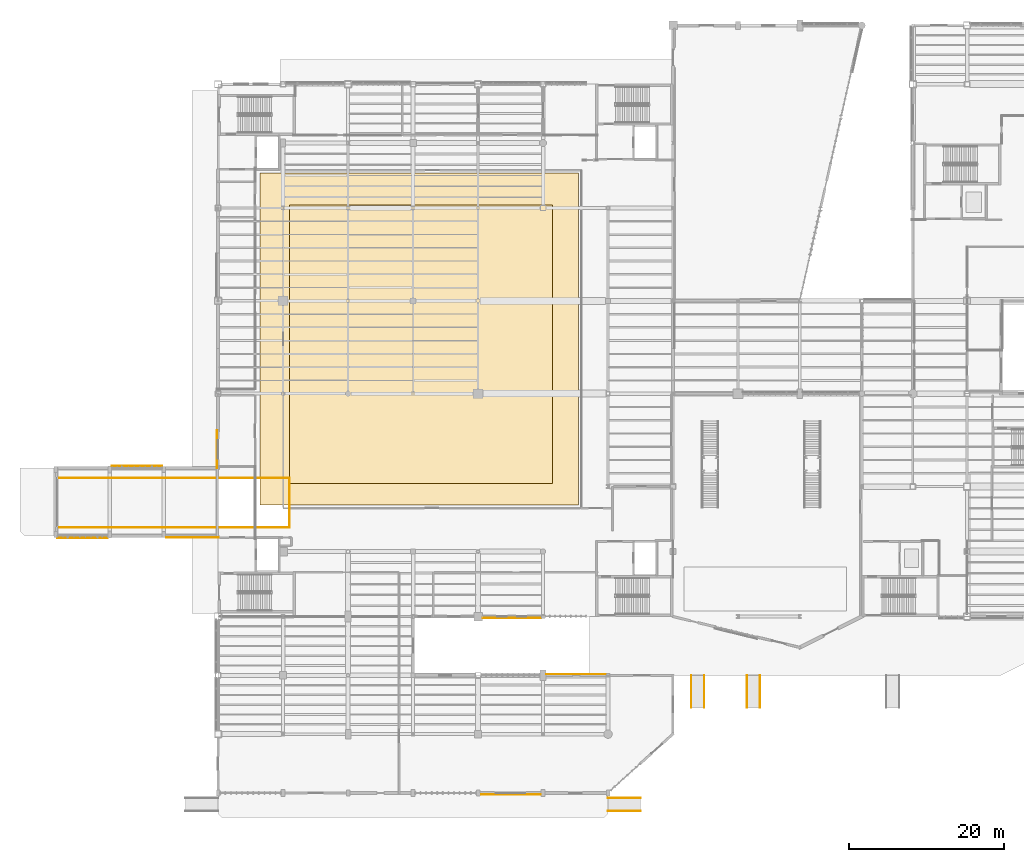
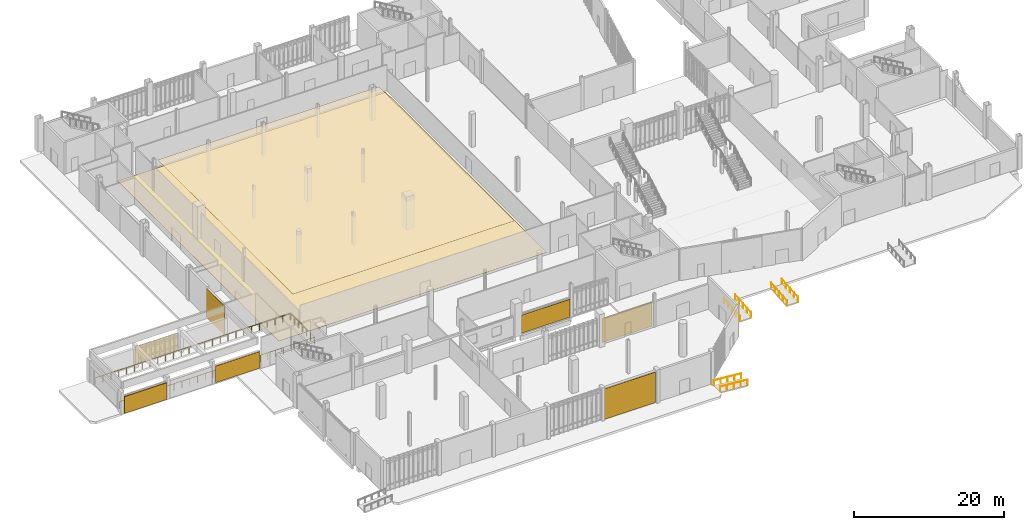
# One storey, part 100 of 111: 7 coverings, 7 railings, 2 shading devices.
"""IFC4 building model written with IfcOpenShell, lengths in metres."""

import ifcopenshell
import ifcopenshell.guid

model = None  # the IFC model being written
_history = None  # IfcOwnerHistory: only IFC2X3 demands one
_inside = {}  # id of a spatial element -> (the spatial element, [elements in it])
_under = {}  # id of a project, library or spatial element -> (it, [spatial elements below it])
_declared = {}  # id of a project -> (the project, [libraries it declares])
_typed = {}  # id of a type object -> (the type object, [elements of that type])
_made_of = {}  # id of a material, layer set ... -> (it, [elements and type objects made of it])


def new_model(schema):
    """Start an empty IFC model of exactly this schema.

    Asked for "IFC4X3", IfcOpenShell would pick the latest addendum, in which some entities
    have other attributes; the version numbers below select the first issue.
    IFC2X3 requires an IfcOwnerHistory on every rooted entity: one is made here for all.
    """
    global model, _history
    if schema == "IFC4X3":
        model = ifcopenshell.file(schema_version=(4, 3, 0, 0))
    else:
        model = ifcopenshell.file(schema=schema)
    _inside.clear()
    _under.clear()
    _declared.clear()
    _typed.clear()
    _made_of.clear()
    _history = None
    if model.schema == "IFC2X3":
        org = make("IfcOrganization", Name="unknown")
        user = make(
            "IfcPersonAndOrganization",
            ThePerson=make("IfcPerson", FamilyName="unknown"),
            TheOrganization=org,
        )
        app = make(
            "IfcApplication",
            ApplicationDeveloper=org,
            Version="unknown",
            ApplicationFullName="unknown",
            ApplicationIdentifier="unknown",
        )
        _history = make(
            "IfcOwnerHistory",
            OwningUser=user,
            OwningApplication=app,
            ChangeAction="ADDED",
            CreationDate=0,
        )
    return model


def make(cls, **values):
    """One entity of the class cls with the attributes given. An attribute that is None is left unset."""
    return model.create_entity(
        cls, **{name: value for name, value in values.items() if value is not None}
    )


def rooted(cls, **values):
    """An entity with a GlobalId (a new one), such as an element, a storey or a relation."""
    return make(cls, GlobalId=ifcopenshell.guid.new(), OwnerHistory=_history, **values)


def si_unit(unit_type, name, prefix=None):
    """IfcSIUnit, for example si_unit("LENGTHUNIT", "METRE", prefix="MILLI")."""
    return make("IfcSIUnit", UnitType=unit_type, Prefix=prefix, Name=name)


def assignment(units):
    """IfcUnitAssignment: the units of a project."""
    return None if units is None else make("IfcUnitAssignment", Units=units)


def point(xyz):
    """IfcCartesianPoint."""
    return None if xyz is None else make("IfcCartesianPoint", Coordinates=xyz)


def direction(xyz):
    """IfcDirection."""
    return None if xyz is None else make("IfcDirection", DirectionRatios=xyz)


def frame(location, z_axis=None, x_axis=None):
    """IfcAxis2Placement3D, a coordinate frame: its origin and axes. An axis left out is left unset."""
    return make(
        "IfcAxis2Placement3D",
        Location=point(location),
        Axis=direction(z_axis),
        RefDirection=direction(x_axis),
    )


def frame_2d(location, x_axis=None):
    """IfcAxis2Placement2D, a coordinate frame in the plane: its origin and x axis."""
    return make(
        "IfcAxis2Placement2D", Location=point(location), RefDirection=direction(x_axis)
    )


def origin():
    """The frame at (0, 0, 0) with its axes left unset."""
    return frame((0.0, 0.0, 0.0))


def origin_2d():
    """The frame at (0, 0) in the plane with its x axis left unset."""
    return frame_2d((0.0, 0.0))


def place(relative_to, where):
    """IfcLocalPlacement: puts the frame where relative to a parent placement (None: the world)."""
    return make(
        "IfcLocalPlacement", PlacementRelTo=relative_to, RelativePlacement=where
    )


def context(
    kind, dimensions, precision=None, world=None, true_north=None, identifier=None
):
    """IfcGeometricRepresentationContext, for example the 3D "Model" context."""
    return make(
        "IfcGeometricRepresentationContext",
        ContextIdentifier=identifier,
        ContextType=kind,
        CoordinateSpaceDimension=dimensions,
        Precision=precision,
        WorldCoordinateSystem=world,
        TrueNorth=true_north,
    )


def subcontext(parent, identifier, kind, view, scale=None):
    """IfcGeometricRepresentationSubContext, for example "Body" below "Model"."""
    return make(
        "IfcGeometricRepresentationSubContext",
        ContextIdentifier=identifier,
        ContextType=kind,
        ParentContext=parent,
        TargetScale=scale,
        TargetView=view,
    )


def project(units=None, contexts=None):
    """IfcProject with its units and contexts."""
    return rooted(
        "IfcProject",
        Name="project",
        RepresentationContexts=contexts,
        UnitsInContext=assignment(units),
    )


def spatial(cls, under=None, at=None, **own):
    """A site, building, storey or space (cls), placed at a placement, below another one or the project."""
    s = rooted(cls, ObjectPlacement=at, **own)
    if under is not None:
        _under.setdefault(under.id(), (under, []))[1].append(s)
    return s


def polyline(points):
    """IfcPolyline through the points."""
    return make("IfcPolyline", Points=[point(p) for p in points])


def profile(cls, at=None, kind="AREA", **sizes):
    """A parametric profile (cls). Its sizes go by their IFC names, for example OverallWidth=200.0."""
    return make(cls, ProfileType=kind, Position=at, **sizes)


def rectangle(**sizes):
    """IfcRectangleProfileDef."""
    return profile("IfcRectangleProfileDef", **sizes)


def circle(**sizes):
    """IfcCircleProfileDef."""
    return profile("IfcCircleProfileDef", **sizes)


def outline(outer, holes=None, kind="AREA"):
    """IfcArbitraryClosedProfileDef: a profile drawn as a closed curve; with holes, ...WithVoids."""
    if holes is None:
        return make("IfcArbitraryClosedProfileDef", ProfileType=kind, OuterCurve=outer)
    return make(
        "IfcArbitraryProfileDefWithVoids",
        ProfileType=kind,
        OuterCurve=outer,
        InnerCurves=holes,
    )


def extrude(swept, where, along, depth):
    """IfcExtrudedAreaSolid: the profile swept, set in the frame where, extruded along a direction by depth."""
    return make(
        "IfcExtrudedAreaSolid",
        SweptArea=swept,
        Position=where,
        ExtrudedDirection=direction(along),
        Depth=depth,
    )


def shape(context_of_items, identifier, shape_type, items):
    """IfcShapeRepresentation: the items that make up one representation, for example the "Body"."""
    return make(
        "IfcShapeRepresentation",
        ContextOfItems=context_of_items,
        RepresentationIdentifier=identifier,
        RepresentationType=shape_type,
        Items=items,
    )


def material(Name=None, Category=None):
    """IfcMaterial."""
    return make("IfcMaterial", Name=Name, Category=Category)


def layer(
    of_material, thickness, ventilated=None, Name=None, Category=None, Priority=None
):
    """IfcMaterialLayer: one layer of a wall or slab, of a material (None: an air gap)."""
    return make(
        "IfcMaterialLayer",
        Material=of_material,
        LayerThickness=thickness,
        IsVentilated=ventilated,
        Name=Name,
        Category=Category,
        Priority=Priority,
    )


def layer_set(layers, Name=None):
    """IfcMaterialLayerSet."""
    return make("IfcMaterialLayerSet", MaterialLayers=layers, LayerSetName=Name)


def made_of(thing, what):
    """Note that an element or type object is made of a material, layer set ...; save() writes the relation."""
    if what is not None:
        _made_of.setdefault(what.id(), (what, []))[1].append(thing)
    return thing


def type_object(cls, material=None, **own):
    """A type object (cls), such as IfcWallType, which elements share."""
    return made_of(rooted(cls, **own), material)


def element(
    cls,
    number,
    at=None,
    inside=None,
    cuts=None,
    type_object=None,
    material=None,
    context=None,
    identifier="Body",
    shape_type=None,
    held_by="IfcProductDefinitionShape",
    body=None,
    shapes=None,
    **own,
):
    """One element of the class cls, such as IfcWall. Its Tag is "e" and its number.

    at: its placement. inside: the storey or other place that contains it. cuts: it is an
    opening in that element (IfcRelVoidsElement). A single representation is given by context,
    identifier, shape_type and body (its items); several are given by shapes. held_by: the class
    of the entity that holds the representations. save() writes the other relations.
    """
    e = rooted(cls, Tag="e%d" % number, ObjectPlacement=at, **own)
    if body is not None:
        shapes = [shape(context, identifier, shape_type, body)]
    if shapes is not None:
        e.Representation = make(held_by, Representations=shapes)
    if inside is not None:
        _inside.setdefault(inside.id(), (inside, []))[1].append(e)
    if cuts is not None:
        rooted(
            "IfcRelVoidsElement", RelatingBuildingElement=cuts, RelatedOpeningElement=e
        )
    if type_object is not None:
        _typed.setdefault(type_object.id(), (type_object, []))[1].append(e)
    return made_of(e, material)


def aggregate(whole, parts):
    """IfcRelAggregates: a whole, such as a stair, and the parts it consists of."""
    return rooted("IfcRelAggregates", RelatingObject=whole, RelatedObjects=parts)


def save(model, path):
    """Write the relations noted so far, then the file.

    IfcRelAggregates (storeys below a building ...), IfcRelContainedInSpatialStructure (elements
    in a storey), IfcRelDefinesByType, IfcRelAssociatesMaterial and IfcRelDeclares: one each for
    every whole, place, type object, material and project.
    """
    for whole, parts in _under.values():
        aggregate(whole, parts)
    for where, things in _inside.values():
        rooted(
            "IfcRelContainedInSpatialStructure",
            RelatedElements=things,
            RelatingStructure=where,
        )
    for kind, things in _typed.values():
        rooted("IfcRelDefinesByType", RelatedObjects=things, RelatingType=kind)
    for what, things in _made_of.values():
        rooted("IfcRelAssociatesMaterial", RelatedObjects=things, RelatingMaterial=what)
    for by, libraries in _declared.values():
        rooted("IfcRelDeclares", RelatingContext=by, RelatedDefinitions=libraries)
    model.write(path)


model = new_model("IFC4")

# Units and contexts
model_context = context("Model", 3, precision=1e-05, world=origin(), true_north=direction((0.0, 1.0)))
body_context = subcontext(model_context, "Body", "Model", "MODEL_VIEW")
ifc_project = project(units=[si_unit("LENGTHUNIT", "METRE"), si_unit("AREAUNIT", "SQUARE_METRE"), si_unit("VOLUMEUNIT", "CUBIC_METRE"), si_unit("PLANEANGLEUNIT", "RADIAN"), si_unit("MASSUNIT", "GRAM", prefix="KILO")], contexts=[model_context])

# Site, building, storey
site_placement = place(None, origin())
site = spatial("IfcSite", under=ifc_project, at=site_placement, CompositionType="ELEMENT")
building_placement = place(site_placement, origin())
building = spatial("IfcBuilding", under=site, at=building_placement, Name="Larkvane Passage Sports Hall", CompositionType="ELEMENT")
storey_placement = place(building_placement, origin())
storey = spatial("IfcBuildingStorey", under=building, at=storey_placement, Name="L00", CompositionType="ELEMENT", Elevation=0.0)

# Coverings
ifc_material_1 = material(Name="Perforated mineral-wool acoustic baffle")
ifc_layer_1 = layer(ifc_material_1, 0.030029296875)
ifc_layer_set_1 = layer_set([ifc_layer_1], Name="Perforated mineral-wool acoustic baffle")
covering_type_1 = type_object("IfcCoveringType", Name="COV-CEIL-ACOUST", PredefinedType="CEILING", material=ifc_layer_set_1)
covering_1_placement = place(storey_placement, frame((0.0, 0.0, 4.60009765625)))
element("IfcCovering", 1, at=covering_1_placement, inside=storey, type_object=covering_type_1, Name="Acoustic ceiling baffle COV-CEIL-L00-BAD", PredefinedType="CEILING", context=body_context, shape_type="SweptSolid", body=[
    extrude(outline(polyline([(44.0, 40.0), (78.0, 40.0), (78.0, 76.0), (44.0, 76.0), (44.0, 40.0)])), origin(), (0.0, 0.0, 1.0), 0.02978515625),
])
ifc_material_2 = material(Name="Sprung maple sports floor")
ifc_layer_2 = layer(ifc_material_2, 0.0400390625)
ifc_layer_set_2 = layer_set([ifc_layer_2], Name="Sprung maple sports floor")
covering_type_2 = type_object("IfcCoveringType", Name="COV-FLR-MAPLE", PredefinedType="FLOORING", material=ifc_layer_set_2)
covering_2_placement = place(storey_placement, origin())
element("IfcCovering", 2, at=covering_2_placement, inside=storey, type_object=covering_type_2, Name="Eight-court badminton maple floor", PredefinedType="FLOORING", context=body_context, shape_type="SweptSolid", body=[
    extrude(outline(polyline([(40.199951171875, 37.199951171875), (81.39990234375, 37.199951171875), (81.39990234375, 80.10009765625), (40.199951171875, 80.10009765625), (40.199951171875, 37.199951171875)])), origin(), (0.0, 0.0, 1.0), 0.0400390625),
])
ifc_material_3 = material(Name="Perforated anodised aluminium 5052-H32", Category="aluminium")
ifc_layer_3 = layer(ifc_material_3, 0.050048828125)
ifc_layer_set_3 = layer_set([ifc_layer_3], Name="Perforated anodised aluminium 5052-H32")
covering_type_3 = type_object("IfcCoveringType", Name="COV-MESH-VEIL", PredefinedType="CLADDING", material=ifc_layer_set_3)
covering_3_placement = place(storey_placement, frame((72.58740234375, -0.217529296875, 0.0751953125), z_axis=(0.0, 0.0, 1.0), x_axis=(-1.0, 0.0, 0.0)))
element("IfcCovering", 3, at=covering_3_placement, inside=storey, type_object=covering_type_3, Name="Perforated cladding cassette L00-004", PredefinedType="CLADDING", context=body_context, shape_type="SweptSolid", body=[
    extrude(rectangle(XDim=7.8330078125, YDim=0.050048828125, at=origin_2d()), origin(), (0.0, 0.0, 1.0), 4.949951171875),
])
covering_4_placement = place(storey_placement, frame((31.48486328125, 33.02001953125, 0.074951171875), z_axis=(0.0, 0.0, 1.0), x_axis=(-1.0, 0.0, 0.0)))
element("IfcCovering", 4, at=covering_4_placement, inside=storey, type_object=covering_type_3, Name="Perforated cladding cassette L00-008", PredefinedType="CLADDING", context=body_context, shape_type="SweptSolid", body=[
    extrude(rectangle(XDim=6.827880859375, YDim=0.050048828125, at=origin_2d()), origin(), (0.0, 0.0, 1.0), 2.68798828125),
])
covering_5_placement = place(storey_placement, frame((34.655029296875, 44.39990234375, 0.074951171875), z_axis=(0.0, 0.0, 1.0), x_axis=(0.0, 1.0, 0.0)))
element("IfcCovering", 5, at=covering_5_placement, inside=storey, type_object=covering_type_3, Name="Perforated cladding cassette L00-012", PredefinedType="CLADDING", context=body_context, shape_type="SweptSolid", body=[
    extrude(rectangle(XDim=4.930419921875, YDim=0.050048828125, at=origin_2d()), origin(), (0.0, 0.0, 1.0), 4.66796875),
])
covering_6_placement = place(storey_placement, frame((72.773681640625, 22.6201171875, 0.074951171875), z_axis=(0.0, 0.0, 1.0), x_axis=(-1.0, 0.0, 0.0)))
element("IfcCovering", 6, at=covering_6_placement, inside=storey, type_object=covering_type_3, Name="Perforated cladding cassette L00-056", PredefinedType="CLADDING", context=body_context, shape_type="SweptSolid", body=[
    extrude(rectangle(XDim=7.555419921875, YDim=0.050048828125, at=origin_2d()), origin(), (0.0, 0.0, 1.0), 2.9130859375),
])
covering_7_placement = place(storey_placement, frame((81.10009765625, 15.344970703125, 0.0751953125), z_axis=(0.0, 0.0, 1.0), x_axis=(1.0, 0.0, 0.0)))
element("IfcCovering", 7, at=covering_7_placement, inside=storey, type_object=covering_type_3, Name="Perforated cladding cassette L00-060", PredefinedType="CLADDING", context=body_context, shape_type="SweptSolid", body=[
    extrude(rectangle(XDim=7.7080078125, YDim=0.050048828125, at=origin_2d()), origin(), (0.0, 0.0, 1.0), 3.927978515625),
])

# Railings
ifc_material_4 = material(Name="Steel S355JR", Category="steel")
railing_type_1 = type_object("IfcRailingType", Name="RL-GUARD-1120", PredefinedType="GUARDRAIL", material=ifc_material_4)
railing_placement = place(storey_placement, frame((14.050048828125, 34.300048828125, 0.0)))
element("IfcRailing", 8, at=railing_placement, inside=storey, type_object=railing_type_1, Name="Vehicle ramp floor opening perimeter guardrail L00", PredefinedType="GUARDRAIL", context=body_context, shape_type="SweptSolid", body=[
    extrude(circle(Radius=0.02392578125, at=origin_2d()), frame((0.001953125, 0.0, 1.09619140625), z_axis=(1.0, 0.0, 0.0), x_axis=(0.0, 1.0, 0.0)), (0.0, 0.0, 1.0), 29.99609375),
    extrude(circle(Radius=0.02392578125, at=origin_2d()), frame((30.0, 0.001953125, 1.09619140625), z_axis=(0.0, 1.0, 0.0), x_axis=(-1.0, 0.0, 0.0)), (0.0, 0.0, 1.0), 6.39599609375),
    extrude(circle(Radius=0.02392578125, at=origin_2d()), frame((29.998046875, 6.39990234375, 1.09619140625), z_axis=(-1.0, 0.0, 0.0), x_axis=(0.0, -1.0, 0.0)), (0.0, 0.0, 1.0), 29.99609375),
    extrude(circle(Radius=0.02099609375, at=origin_2d()), origin(), (0.0, 0.0, 1.0), 1.072021484375),
    extrude(circle(Radius=0.02099609375, at=origin_2d()), frame((1.199951171875, 0.0, 0.0)), (0.0, 0.0, 1.0), 1.072021484375),
    extrude(circle(Radius=0.02099609375, at=origin_2d()), frame((2.39990234375, 0.0, 0.0)), (0.0, 0.0, 1.0), 1.072021484375),
    extrude(circle(Radius=0.02099609375, at=origin_2d()), frame((3.60009765625, 0.0, 0.0)), (0.0, 0.0, 1.0), 1.072021484375),
    extrude(circle(Radius=0.02099609375, at=origin_2d()), frame((4.800048828125, 0.0, 0.0)), (0.0, 0.0, 1.0), 1.072021484375),
    extrude(circle(Radius=0.02099609375, at=origin_2d()), frame((6.0, 0.0, 0.0)), (0.0, 0.0, 1.0), 1.072021484375),
    extrude(circle(Radius=0.02099609375, at=origin_2d()), frame((7.199951171875, 0.0, 0.0)), (0.0, 0.0, 1.0), 1.072021484375),
    extrude(circle(Radius=0.02099609375, at=origin_2d()), frame((8.39990234375, 0.0, 0.0)), (0.0, 0.0, 1.0), 1.072021484375),
    extrude(circle(Radius=0.02099609375, at=origin_2d()), frame((9.60009765625, 0.0, 0.0)), (0.0, 0.0, 1.0), 1.072021484375),
    extrude(circle(Radius=0.02099609375, at=origin_2d()), frame((10.800048828125, 0.0, 0.0)), (0.0, 0.0, 1.0), 1.072021484375),
    extrude(circle(Radius=0.02099609375, at=origin_2d()), frame((12.0, 0.0, 0.0)), (0.0, 0.0, 1.0), 1.072021484375),
    extrude(circle(Radius=0.02099609375, at=origin_2d()), frame((13.199951171875, 0.0, 0.0)), (0.0, 0.0, 1.0), 1.072021484375),
    extrude(circle(Radius=0.02099609375, at=origin_2d()), frame((14.39990234375, 0.0, 0.0)), (0.0, 0.0, 1.0), 1.072021484375),
    extrude(circle(Radius=0.02099609375, at=origin_2d()), frame((15.60009765625, 0.0, 0.0)), (0.0, 0.0, 1.0), 1.072021484375),
    extrude(circle(Radius=0.02099609375, at=origin_2d()), frame((16.800048828125, 0.0, 0.0)), (0.0, 0.0, 1.0), 1.072021484375),
    extrude(circle(Radius=0.02099609375, at=origin_2d()), frame((18.0, 0.0, 0.0)), (0.0, 0.0, 1.0), 1.072021484375),
    extrude(circle(Radius=0.02099609375, at=origin_2d()), frame((19.199951171875, 0.0, 0.0)), (0.0, 0.0, 1.0), 1.072021484375),
    extrude(circle(Radius=0.02099609375, at=origin_2d()), frame((20.39990234375, 0.0, 0.0)), (0.0, 0.0, 1.0), 1.072021484375),
    extrude(circle(Radius=0.02099609375, at=origin_2d()), frame((21.60009765625, 0.0, 0.0)), (0.0, 0.0, 1.0), 1.072021484375),
    extrude(circle(Radius=0.02099609375, at=origin_2d()), frame((22.800048828125, 0.0, 0.0)), (0.0, 0.0, 1.0), 1.072021484375),
    extrude(circle(Radius=0.02099609375, at=origin_2d()), frame((24.0, 0.0, 0.0)), (0.0, 0.0, 1.0), 1.072021484375),
    extrude(circle(Radius=0.02099609375, at=origin_2d()), frame((25.199951171875, 0.0, 0.0)), (0.0, 0.0, 1.0), 1.072021484375),
    extrude(circle(Radius=0.02099609375, at=origin_2d()), frame((26.39990234375, 0.0, 0.0)), (0.0, 0.0, 1.0), 1.072021484375),
    extrude(circle(Radius=0.02099609375, at=origin_2d()), frame((27.60009765625, 0.0, 0.0)), (0.0, 0.0, 1.0), 1.072021484375),
    extrude(circle(Radius=0.02099609375, at=origin_2d()), frame((28.800048828125, 0.0, 0.0)), (0.0, 0.0, 1.0), 1.072021484375),
    extrude(circle(Radius=0.02099609375, at=origin_2d()), frame((30.0, 0.0, 0.0)), (0.0, 0.0, 1.0), 1.072021484375),
    extrude(circle(Radius=0.02099609375, at=origin_2d()), frame((30.0, 1.066650390625, 0.0)), (0.0, 0.0, 1.0), 1.072021484375),
    extrude(circle(Radius=0.02099609375, at=origin_2d()), frame((30.0, 2.13330078125, 0.0)), (0.0, 0.0, 1.0), 1.072021484375),
    extrude(circle(Radius=0.02099609375, at=origin_2d()), frame((30.0, 3.199951171875, 0.0)), (0.0, 0.0, 1.0), 1.072021484375),
    extrude(circle(Radius=0.02099609375, at=origin_2d()), frame((30.0, 4.2666015625, 0.0)), (0.0, 0.0, 1.0), 1.072021484375),
    extrude(circle(Radius=0.02099609375, at=origin_2d()), frame((30.0, 5.333251953125, 0.0)), (0.0, 0.0, 1.0), 1.072021484375),
    extrude(circle(Radius=0.02099609375, at=origin_2d()), frame((30.0, 6.39990234375, 0.0)), (0.0, 0.0, 1.0), 1.072021484375),
    extrude(circle(Radius=0.02099609375, at=origin_2d()), frame((28.800048828125, 6.39990234375, 0.0)), (0.0, 0.0, 1.0), 1.072021484375),
    extrude(circle(Radius=0.02099609375, at=origin_2d()), frame((27.60009765625, 6.39990234375, 0.0)), (0.0, 0.0, 1.0), 1.072021484375),
    extrude(circle(Radius=0.02099609375, at=origin_2d()), frame((26.39990234375, 6.39990234375, 0.0)), (0.0, 0.0, 1.0), 1.072021484375),
    extrude(circle(Radius=0.02099609375, at=origin_2d()), frame((25.199951171875, 6.39990234375, 0.0)), (0.0, 0.0, 1.0), 1.072021484375),
    extrude(circle(Radius=0.02099609375, at=origin_2d()), frame((24.0, 6.39990234375, 0.0)), (0.0, 0.0, 1.0), 1.072021484375),
    extrude(circle(Radius=0.02099609375, at=origin_2d()), frame((22.800048828125, 6.39990234375, 0.0)), (0.0, 0.0, 1.0), 1.072021484375),
    extrude(circle(Radius=0.02099609375, at=origin_2d()), frame((21.60009765625, 6.39990234375, 0.0)), (0.0, 0.0, 1.0), 1.072021484375),
    extrude(circle(Radius=0.02099609375, at=origin_2d()), frame((20.39990234375, 6.39990234375, 0.0)), (0.0, 0.0, 1.0), 1.072021484375),
    extrude(circle(Radius=0.02099609375, at=origin_2d()), frame((19.199951171875, 6.39990234375, 0.0)), (0.0, 0.0, 1.0), 1.072021484375),
    extrude(circle(Radius=0.02099609375, at=origin_2d()), frame((18.0, 6.39990234375, 0.0)), (0.0, 0.0, 1.0), 1.072021484375),
    extrude(circle(Radius=0.02099609375, at=origin_2d()), frame((16.800048828125, 6.39990234375, 0.0)), (0.0, 0.0, 1.0), 1.072021484375),
    extrude(circle(Radius=0.02099609375, at=origin_2d()), frame((15.60009765625, 6.39990234375, 0.0)), (0.0, 0.0, 1.0), 1.072021484375),
    extrude(circle(Radius=0.02099609375, at=origin_2d()), frame((14.39990234375, 6.39990234375, 0.0)), (0.0, 0.0, 1.0), 1.072021484375),
    extrude(circle(Radius=0.02099609375, at=origin_2d()), frame((13.199951171875, 6.39990234375, 0.0)), (0.0, 0.0, 1.0), 1.072021484375),
    extrude(circle(Radius=0.02099609375, at=origin_2d()), frame((12.0, 6.39990234375, 0.0)), (0.0, 0.0, 1.0), 1.072021484375),
    extrude(circle(Radius=0.02099609375, at=origin_2d()), frame((10.800048828125, 6.39990234375, 0.0)), (0.0, 0.0, 1.0), 1.072021484375),
    extrude(circle(Radius=0.02099609375, at=origin_2d()), frame((9.60009765625, 6.39990234375, 0.0)), (0.0, 0.0, 1.0), 1.072021484375),
    extrude(circle(Radius=0.02099609375, at=origin_2d()), frame((8.39990234375, 6.39990234375, 0.0)), (0.0, 0.0, 1.0), 1.072021484375),
    extrude(circle(Radius=0.02099609375, at=origin_2d()), frame((7.199951171875, 6.39990234375, 0.0)), (0.0, 0.0, 1.0), 1.072021484375),
    extrude(circle(Radius=0.02099609375, at=origin_2d()), frame((6.0, 6.39990234375, 0.0)), (0.0, 0.0, 1.0), 1.072021484375),
    extrude(circle(Radius=0.02099609375, at=origin_2d()), frame((4.800048828125, 6.39990234375, 0.0)), (0.0, 0.0, 1.0), 1.072021484375),
    extrude(circle(Radius=0.02099609375, at=origin_2d()), frame((3.60009765625, 6.39990234375, 0.0)), (0.0, 0.0, 1.0), 1.072021484375),
    extrude(circle(Radius=0.02099609375, at=origin_2d()), frame((2.39990234375, 6.39990234375, 0.0)), (0.0, 0.0, 1.0), 1.072021484375),
    extrude(circle(Radius=0.02099609375, at=origin_2d()), frame((1.199951171875, 6.39990234375, 0.0)), (0.0, 0.0, 1.0), 1.072021484375),
    extrude(circle(Radius=0.02099609375, at=origin_2d()), frame((0.0, 6.39990234375, 0.0)), (0.0, 0.0, 1.0), 1.072021484375),
])
ifc_material_5 = material(Name="Stainless steel S355JR", Category="steel")
railing_type_2 = type_object("IfcRailingType", Name="RL-HAND-920", PredefinedType="HANDRAIL", material=ifc_material_5)
for number, where, name in (
    (9, (89.39990234375, -2.340087890625, -0.35009765625), "Accessible ramp handrail RA-03-S"),
    (10, (89.39990234375, -0.659912109375, -0.35009765625), "Accessible ramp handrail RA-03-N"),
):
    element("IfcRailing", number, at=place(storey_placement, frame(where)), inside=storey, type_object=railing_type_2, Name=name, PredefinedType="HANDRAIL", context=body_context, shape_type="SweptSolid", body=[
        extrude(circle(Radius=0.02392578125, at=origin_2d()), frame((-0.001953125, 0.0, 0.8759765625), z_axis=(-0.996543760423, 0.0, 0.083069450238), x_axis=(0.0, -1.0, 0.0)), (0.0, 0.0, 1.0), 4.21044921875),
        extrude(circle(Radius=0.02099609375, at=origin_2d()), origin(), (0.0, 0.0, 1.0), 0.851806640625),
        extrude(circle(Radius=0.02099609375, at=origin_2d()), frame((-1.050048828125, 0.0, 0.08740234375)), (0.0, 0.0, 1.0), 0.851806640625),
        extrude(circle(Radius=0.02099609375, at=origin_2d()), frame((-2.10009765625, 0.0, 0.175048828125)), (0.0, 0.0, 1.0), 0.851806640625),
        extrude(circle(Radius=0.02099609375, at=origin_2d()), frame((-3.14990234375, 0.0, 0.2626953125)), (0.0, 0.0, 1.0), 0.851806640625),
        extrude(circle(Radius=0.02099609375, at=origin_2d()), frame((-4.199951171875, 0.0, 0.35009765625)), (0.0, 0.0, 1.0), 0.851806640625),
    ])
for number, where, name in (
    (11, (95.9599609375, 11.0, -0.35009765625), "Accessible ramp handrail RA-04-W"),
    (12, (97.639892578125, 11.0, -0.35009765625), "Accessible ramp handrail RA-04-E"),
    (13, (103.159912109375, 11.0, -0.35009765625), "Accessible ramp handrail RA-05-W"),
    (14, (104.840087890625, 11.0, -0.35009765625), "Accessible ramp handrail RA-05-E"),
):
    element("IfcRailing", number, at=place(storey_placement, frame(where)), inside=storey, type_object=railing_type_2, Name=name, PredefinedType="HANDRAIL", context=body_context, shape_type="SweptSolid", body=[
        extrude(circle(Radius=0.02392578125, at=origin_2d()), frame((0.0, 0.001953125, 0.8759765625), z_axis=(0.0, 0.996543760423, 0.083069450238), x_axis=(-1.0, 0.0, 0.0)), (0.0, 0.0, 1.0), 4.21044921875),
        extrude(circle(Radius=0.02099609375, at=origin_2d()), origin(), (0.0, 0.0, 1.0), 0.851806640625),
        extrude(circle(Radius=0.02099609375, at=origin_2d()), frame((0.0, 1.050048828125, 0.08740234375)), (0.0, 0.0, 1.0), 0.851806640625),
        extrude(circle(Radius=0.02099609375, at=origin_2d()), frame((0.0, 2.10009765625, 0.175048828125)), (0.0, 0.0, 1.0), 0.851806640625),
        extrude(circle(Radius=0.02099609375, at=origin_2d()), frame((0.0, 3.14990234375, 0.2626953125)), (0.0, 0.0, 1.0), 0.851806640625),
        extrude(circle(Radius=0.02099609375, at=origin_2d()), frame((0.0, 4.199951171875, 0.35009765625)), (0.0, 0.0, 1.0), 0.851806640625),
    ])

# Shading devices
ifc_material_6 = material(Name="Extruded aluminium 6063-T6", Category="aluminium")
ifc_layer_4 = layer(ifc_material_6, 0.1201171875)
ifc_layer_set_4 = layer_set([ifc_layer_4], Name="Extruded aluminium 6063-T6")
shading_device_type_1 = type_object("IfcShadingDeviceType", Name="SHD-LOUVRE-STORM", PredefinedType="JALOUSIE", material=ifc_layer_set_4)
shading_device_1_placement = place(storey_placement, frame((17.28759765625, 32.9599609375, 0.06005859375), z_axis=(0.0, 0.0, 1.0), x_axis=(-1.0, 0.0, 0.0)))
element("IfcShadingDevice", 15, at=shading_device_1_placement, inside=storey, type_object=shading_device_type_1, Name="Solar veil screen L00-003", PredefinedType="JALOUSIE", context=body_context, shape_type="SweptSolid", body=[
    extrude(rectangle(XDim=6.532958984375, YDim=0.1201171875, at=origin_2d()), origin(), (0.0, 0.0, 1.0), 2.718017578125),
])
ifc_layer_5 = layer(ifc_material_3, 0.06005859375)
ifc_layer_set_5 = layer_set([ifc_layer_5], Name="Perforated anodised aluminium 5052-H32")
shading_device_type_2 = type_object("IfcShadingDeviceType", Name="SHD-VEIL-PERF", PredefinedType="SHUTTER", material=ifc_layer_set_5)
shading_device_2_placement = place(storey_placement, frame((24.3125, 42.239990234375, 0.06005859375), z_axis=(0.0, 0.0, 1.0), x_axis=(1.0, 0.0, 0.0)))
element("IfcShadingDevice", 16, at=shading_device_2_placement, inside=storey, type_object=shading_device_type_2, Name="Solar veil screen L00-004", PredefinedType="SHUTTER", context=body_context, shape_type="SweptSolid", body=[
    extrude(rectangle(XDim=6.532958984375, YDim=0.06005859375, at=origin_2d()), origin(), (0.0, 0.0, 1.0), 2.718017578125),
])

save(model, "model.ifc")
